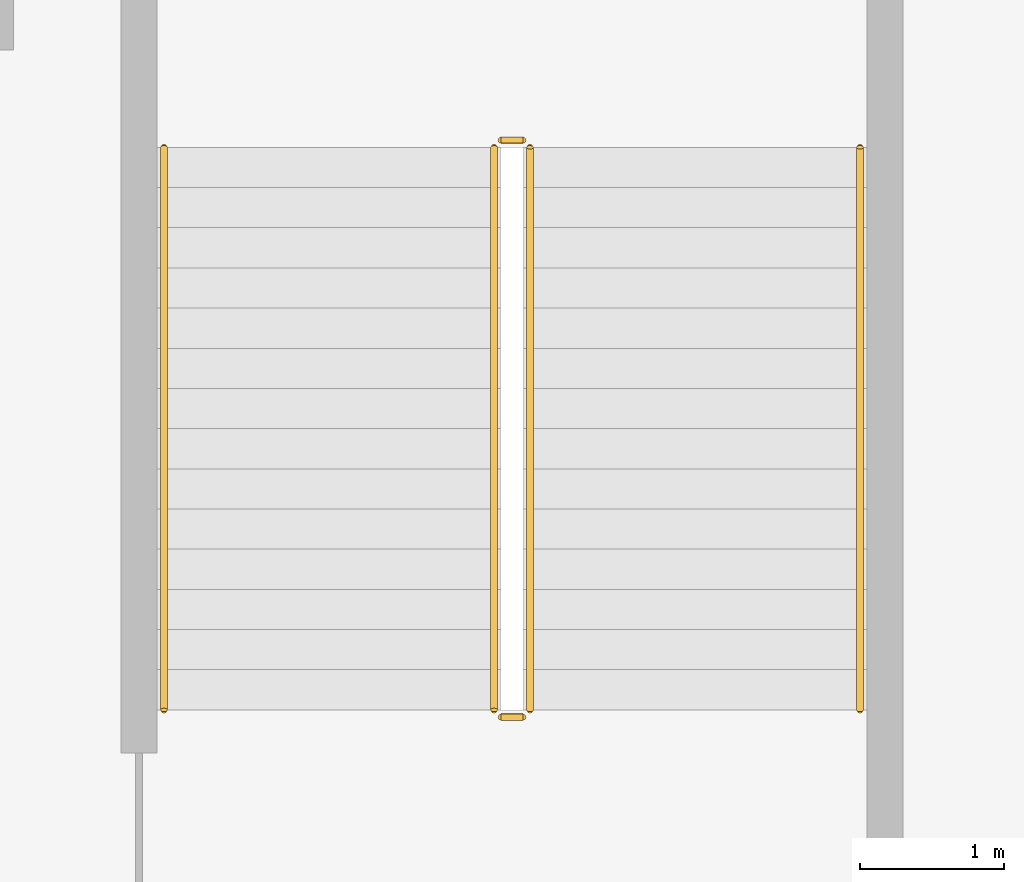
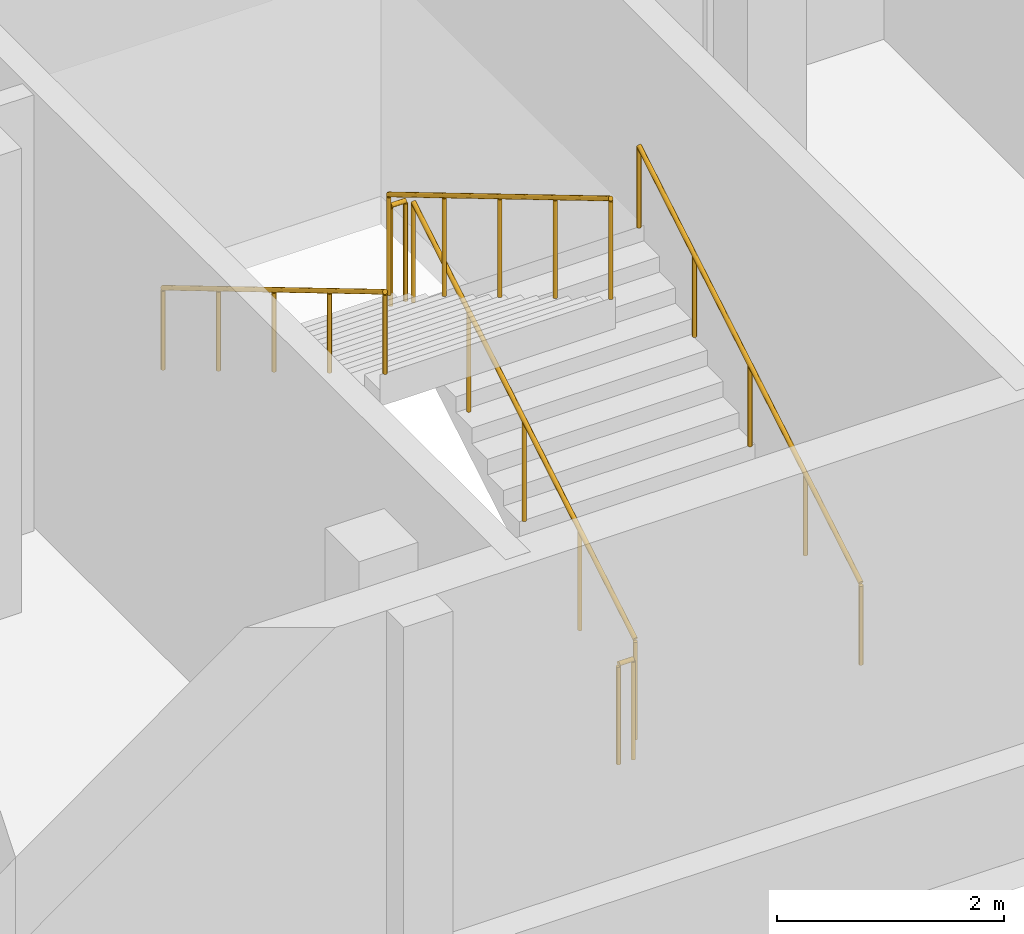
# One storey, part 28 of 32: 6 railings.
"""IFC4 building model written with IfcOpenShell, lengths in metres."""

from ifc_helpers import new_model, si_unit, direction, frame, origin, origin_2d, place, context, subcontext, project, spatial, circle, extrude, material, type_object, element, save


model = new_model("IFC4")

# Units and contexts
model_context = context("Model", 3, precision=1e-05, world=origin(), true_north=direction((0.0, 1.0)))
body_context = subcontext(model_context, "Body", "Model", "MODEL_VIEW")
ifc_project = project(units=[si_unit("LENGTHUNIT", "METRE"), si_unit("AREAUNIT", "SQUARE_METRE"), si_unit("VOLUMEUNIT", "CUBIC_METRE"), si_unit("PLANEANGLEUNIT", "RADIAN"), si_unit("MASSUNIT", "GRAM", prefix="KILO")], contexts=[model_context])

# Site, building, storey
site_placement = place(None, origin())
site = spatial("IfcSite", under=ifc_project, at=site_placement, CompositionType="ELEMENT")
building_placement = place(site_placement, origin())
building = spatial("IfcBuilding", under=site, at=building_placement, Name="Tamorin Gate", CompositionType="ELEMENT")
storey_placement = place(building_placement, frame((0.0, 0.0, 18.5)))
storey = spatial("IfcBuildingStorey", under=building, at=storey_placement, Name="L03", CompositionType="ELEMENT", Elevation=18.5)

# Railings
ifc_material = material(Name="Steel, galvanised", Category="steel")
railing_type_1 = type_object("IfcRailingType", Name="Steel guard 1100 museum", PredefinedType="GUARDRAIL", material=ifc_material)
railing_1_placement = place(storey_placement, frame((197.60009765625, 57.800048828125, 0.166748046875)))
element("IfcRailing", 1, at=railing_1_placement, inside=storey, type_object=railing_type_1, Name="L03 PS7 stair guard 1", PredefinedType="GUARDRAIL", context=body_context, shape_type="SweptSolid", body=[
    extrude(circle(Radius=0.02392578125, at=origin_2d()), frame((0.0, 0.0, 1.076171875), z_axis=(0.0, 0.859296244711, 0.511478214419), x_axis=(-1.0, 0.0, 0.0)), (0.0, 0.0, 1.0), 4.561767578125),
    extrude(circle(Radius=0.02099609375, at=origin_2d()), origin(), (0.0, 0.0, 1.0), 1.052001953125),
    extrude(circle(Radius=0.02099609375, at=origin_2d()), frame((0.0, 0.97998046875, 0.583251953125)), (0.0, 0.0, 1.0), 1.052001953125),
    extrude(circle(Radius=0.02099609375, at=origin_2d()), frame((0.0, 1.9599609375, 1.16650390625)), (0.0, 0.0, 1.0), 1.052001953125),
    extrude(circle(Radius=0.02099609375, at=origin_2d()), frame((0.0, 2.93994140625, 1.75)), (0.0, 0.0, 1.0), 1.052001953125),
    extrude(circle(Radius=0.02099609375, at=origin_2d()), frame((0.0, 3.919921875, 2.333251953125)), (0.0, 0.0, 1.0), 1.052001953125),
])
railing_2_placement = place(storey_placement, frame((197.550048828125, 61.77001953125, 2.5)))
element("IfcRailing", 2, at=railing_2_placement, inside=storey, type_object=railing_type_1, Name="L03 PS7 stair guard 2", PredefinedType="GUARDRAIL", context=body_context, shape_type="SweptSolid", body=[
    extrude(circle(Radius=0.02392578125, at=origin_2d()), frame((0.0, 0.0, 1.076171875), z_axis=(-1.0, 0.0, 0.0), x_axis=(0.0, -1.0, 0.0)), (0.0, 0.0, 1.0), 0.150146484375),
    extrude(circle(Radius=0.02099609375, at=origin_2d()), origin(), (0.0, 0.0, 1.0), 1.052001953125),
    extrude(circle(Radius=0.02099609375, at=origin_2d()), frame((-0.150146484375, 0.0, 0.0)), (0.0, 0.0, 1.0), 1.052001953125),
])
railing_3_placement = place(storey_placement, frame((197.35009765625, 61.719970703125, 2.666748046875)))
element("IfcRailing", 3, at=railing_3_placement, inside=storey, type_object=railing_type_1, Name="L03 PS7 stair guard 3", PredefinedType="GUARDRAIL", context=body_context, shape_type="SweptSolid", body=[
    extrude(circle(Radius=0.02392578125, at=origin_2d()), frame((0.0, 0.0, 1.076171875), z_axis=(0.0, -0.859296244711, 0.511478214419), x_axis=(1.0, 0.0, 0.0)), (0.0, 0.0, 1.0), 4.561767578125),
    extrude(circle(Radius=0.02099609375, at=origin_2d()), origin(), (0.0, 0.0, 1.0), 1.052001953125),
    extrude(circle(Radius=0.02099609375, at=origin_2d()), frame((0.0, -0.97998046875, 0.583251953125)), (0.0, 0.0, 1.0), 1.052001953125),
    extrude(circle(Radius=0.02099609375, at=origin_2d()), frame((0.0, -1.9599609375, 1.16650390625)), (0.0, 0.0, 1.0), 1.052001953125),
    extrude(circle(Radius=0.02099609375, at=origin_2d()), frame((0.0, -2.93994140625, 1.75)), (0.0, 0.0, 1.0), 1.052001953125),
    extrude(circle(Radius=0.02099609375, at=origin_2d()), frame((0.0, -3.919921875, 2.333251953125)), (0.0, 0.0, 1.0), 1.052001953125),
])
railing_4_placement = place(storey_placement, frame((197.550048828125, 57.75, 0.0)))
element("IfcRailing", 4, at=railing_4_placement, inside=storey, type_object=railing_type_1, Name="L03 PS7 stair guard 4", PredefinedType="GUARDRAIL", context=body_context, shape_type="SweptSolid", body=[
    extrude(circle(Radius=0.02392578125, at=origin_2d()), frame((0.0, 0.0, 1.076171875), z_axis=(-1.0, 0.0, 0.0), x_axis=(0.0, -1.0, 0.0)), (0.0, 0.0, 1.0), 0.150146484375),
    extrude(circle(Radius=0.02099609375, at=origin_2d()), origin(), (0.0, 0.0, 1.0), 1.052001953125),
    extrude(circle(Radius=0.02099609375, at=origin_2d()), frame((-0.150146484375, 0.0, 0.0)), (0.0, 0.0, 1.0), 1.052001953125),
])
railing_type_2 = type_object("IfcRailingType", Name="Steel handrail 900 museum", PredefinedType="HANDRAIL", material=ifc_material)
railing_5_placement = place(storey_placement, frame((199.89990234375, 57.800048828125, 0.166748046875)))
element("IfcRailing", 5, at=railing_5_placement, inside=storey, type_object=railing_type_2, Name="L03 PS7 stair handrail 1", PredefinedType="HANDRAIL", context=body_context, shape_type="SweptSolid", body=[
    extrude(circle(Radius=0.02392578125, at=origin_2d()), frame((0.0, 0.0, 0.8759765625), z_axis=(0.0, 0.859296244711, 0.511478214419), x_axis=(-1.0, 0.0, 0.0)), (0.0, 0.0, 1.0), 4.561767578125),
    extrude(circle(Radius=0.02099609375, at=origin_2d()), origin(), (0.0, 0.0, 1.0), 0.851806640625),
    extrude(circle(Radius=0.02099609375, at=origin_2d()), frame((0.0, 0.97998046875, 0.583251953125)), (0.0, 0.0, 1.0), 0.851806640625),
    extrude(circle(Radius=0.02099609375, at=origin_2d()), frame((0.0, 1.9599609375, 1.16650390625)), (0.0, 0.0, 1.0), 0.851806640625),
    extrude(circle(Radius=0.02099609375, at=origin_2d()), frame((0.0, 2.93994140625, 1.75)), (0.0, 0.0, 1.0), 0.851806640625),
    extrude(circle(Radius=0.02099609375, at=origin_2d()), frame((0.0, 3.919921875, 2.333251953125)), (0.0, 0.0, 1.0), 0.851806640625),
])
railing_6_placement = place(storey_placement, frame((195.050048828125, 61.719970703125, 2.666748046875)))
element("IfcRailing", 6, at=railing_6_placement, inside=storey, type_object=railing_type_2, Name="L03 PS7 stair handrail 2", PredefinedType="HANDRAIL", context=body_context, shape_type="SweptSolid", body=[
    extrude(circle(Radius=0.02392578125, at=origin_2d()), frame((0.0, 0.0, 0.8759765625), z_axis=(0.0, -0.859296244711, 0.511478214419), x_axis=(1.0, 0.0, 0.0)), (0.0, 0.0, 1.0), 4.561767578125),
    extrude(circle(Radius=0.02099609375, at=origin_2d()), origin(), (0.0, 0.0, 1.0), 0.851806640625),
    extrude(circle(Radius=0.02099609375, at=origin_2d()), frame((0.0, -0.97998046875, 0.583251953125)), (0.0, 0.0, 1.0), 0.851806640625),
    extrude(circle(Radius=0.02099609375, at=origin_2d()), frame((0.0, -1.9599609375, 1.16650390625)), (0.0, 0.0, 1.0), 0.851806640625),
    extrude(circle(Radius=0.02099609375, at=origin_2d()), frame((0.0, -2.93994140625, 1.75)), (0.0, 0.0, 1.0), 0.851806640625),
    extrude(circle(Radius=0.02099609375, at=origin_2d()), frame((0.0, -3.919921875, 2.333251953125)), (0.0, 0.0, 1.0), 0.851806640625),
])

save(model, "model.ifc")
